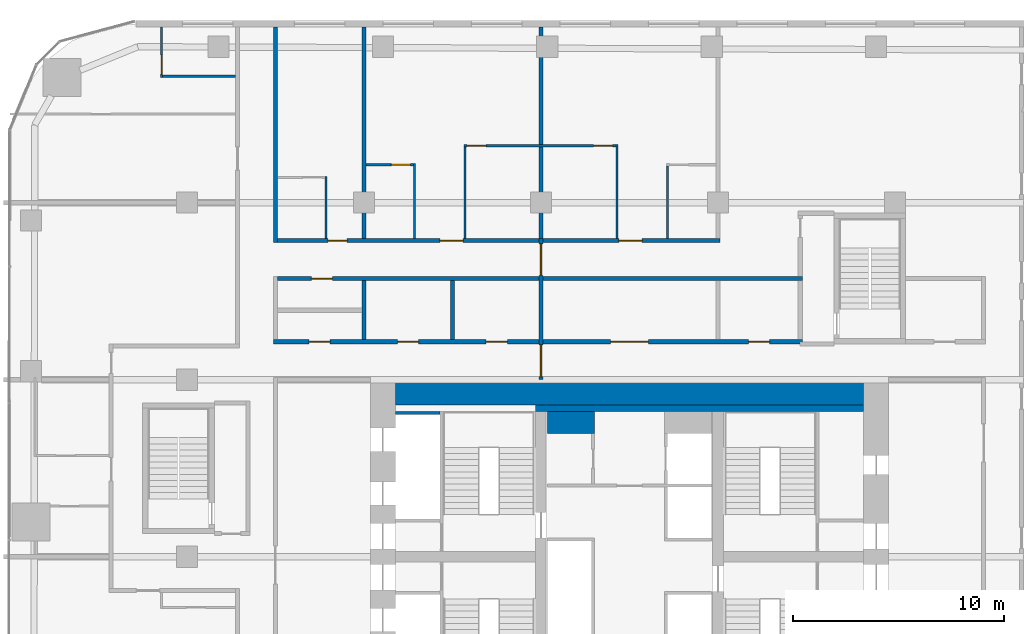
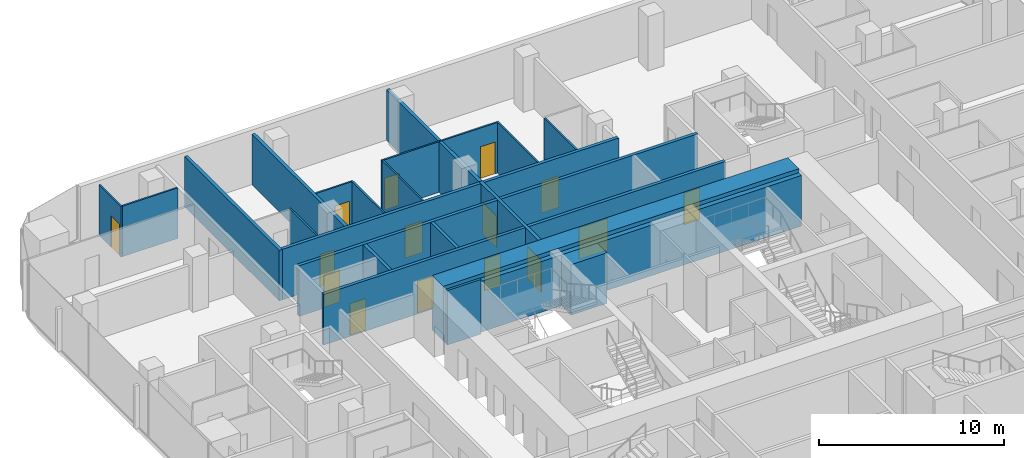
# One storey, part 21 of 25: 22 walls, 15 doors, 15 openings.
"""IFC4 building model written with IfcOpenShell, lengths in metres."""

from ifc_helpers import new_model, si_unit, direction, frame, frame_2d, origin, place, context, subcontext, project, spatial, rectangle, extrude, material, layer, layer_set, type_object, element, fill, save


model = new_model("IFC4")

# Units and contexts
model_context = context("Model", 3, precision=1e-05, world=origin(), true_north=direction((0.0, 1.0)))
body_context = subcontext(model_context, "Body", "Model", "MODEL_VIEW")
ifc_project = project(units=[si_unit("LENGTHUNIT", "METRE"), si_unit("AREAUNIT", "SQUARE_METRE"), si_unit("VOLUMEUNIT", "CUBIC_METRE"), si_unit("PLANEANGLEUNIT", "RADIAN"), si_unit("MASSUNIT", "GRAM", prefix="KILO")], contexts=[model_context])

# Site, building, storey
site_placement = place(None, origin())
site = spatial("IfcSite", under=ifc_project, at=site_placement, CompositionType="ELEMENT")
building_placement = place(site_placement, origin())
building = spatial("IfcBuilding", under=site, at=building_placement, Name="Marenta Gate Hotel Tower", CompositionType="ELEMENT")
storey_placement = place(building_placement, frame((0.0, 0.0, 50.89990234375)))
storey = spatial("IfcBuildingStorey", under=building, at=storey_placement, Name="L10", CompositionType="ELEMENT", Elevation=50.89990234375)

# Wall, openings, doors
ifc_material_1 = material(Name="Concrete blockwork", Category="masonry")
ifc_layer_1 = layer(ifc_material_1, 0.199951171875)
ifc_layer_set_1 = layer_set([ifc_layer_1], Name="Concrete blockwork")
wall_type_1 = type_object("IfcWallType", Name="Compartment wall 200 REI 180", PredefinedType="PARTITIONING", material=ifc_layer_set_1)
wall_1_placement = place(storey_placement, frame((-4.199951171875, 16.800048828125, 0.0), z_axis=(0.0, 0.0, 1.0), x_axis=(0.0, 1.0, 0.0)))
wall_1 = element("IfcWall", 1, at=wall_1_placement, inside=storey, type_object=wall_type_1, Name="L10-PTN-W069", PredefinedType="PARTITIONING", context=body_context, shape_type="SweptSolid", body=[
    extrude(rectangle(XDim=6.699951171875, YDim=0.199951171875, at=frame_2d((3.35009765625, 0.0))), origin(), (0.0, 0.0, 1.0), 3.340087890625),
])
opening_1_placement = place(wall_1_placement, frame((0.14990234375, 0.0, 0.0)))
opening_1 = element("IfcOpeningElement", 2, at=opening_1_placement, cuts=wall_1, Name="Opening G03-FD1", PredefinedType="OPENING", context=body_context, shape_type="SweptSolid", body=[
    extrude(rectangle(XDim=1.5, YDim=2.10009765625, at=frame_2d((0.75, 1.050048828125))), frame((0.0, 0.10009765625, 0.0), z_axis=(0.0, -1.0, 0.0), x_axis=(1.0, 0.0, 0.0)), (0.0, 0.0, 1.0), 0.199951171875),
])
opening_2_placement = place(wall_1_placement, frame((4.949951171875, 0.0, 0.0)))
opening_2 = element("IfcOpeningElement", 3, at=opening_2_placement, cuts=wall_1, Name="Opening G03-FD2", PredefinedType="OPENING", context=body_context, shape_type="SweptSolid", body=[
    extrude(rectangle(XDim=1.5, YDim=2.10009765625, at=frame_2d((0.75, 1.050048828125))), frame((0.0, 0.10009765625, 0.0), z_axis=(0.0, -1.0, 0.0), x_axis=(1.0, 0.0, 0.0)), (0.0, 0.0, 1.0), 0.199951171875),
])
ifc_material_2 = material(Name="Hollow steel door set", Category="steel")
door_type_1 = type_object("IfcDoorType", Name="Compartment fire door 1500x2100 EI 60", OperationType="DOUBLE_DOOR_DOUBLE_SWING", PredefinedType="DOOR", material=ifc_material_2)
door_1_placement = place(opening_1_placement, origin())
door_1 = element("IfcDoor", 4, at=door_1_placement, inside=storey, type_object=door_type_1, Name="L10-PD-FD01", OperationType="DOUBLE_DOOR_DOUBLE_SWING", OverallHeight=2.10009765625, OverallWidth=1.5, PredefinedType="DOOR", context=body_context, shape_type="SweptSolid", body=[
    extrude(rectangle(XDim=1.5, YDim=2.10009765625, at=frame_2d((0.75, 1.050048828125))), frame((0.0, 0.02490234375, 0.0), z_axis=(0.0, -1.0, 0.0), x_axis=(1.0, 0.0, 0.0)), (0.0, 0.0, 1.0), 0.050048828125),
])
fill(opening_1, door_1)
door_2_placement = place(opening_2_placement, origin())
door_2 = element("IfcDoor", 5, at=door_2_placement, inside=storey, type_object=door_type_1, Name="L10-PD-FD02", OperationType="DOUBLE_DOOR_DOUBLE_SWING", OverallHeight=2.10009765625, OverallWidth=1.5, PredefinedType="DOOR", context=body_context, shape_type="SweptSolid", body=[
    extrude(rectangle(XDim=1.5, YDim=2.10009765625, at=frame_2d((0.75, 1.050048828125))), frame((0.0, 0.02490234375, 0.0), z_axis=(0.0, -1.0, 0.0), x_axis=(1.0, 0.0, 0.0)), (0.0, 0.0, 1.0), 0.050048828125),
])
fill(opening_2, door_2)

# Walls
wall_2_placement = place(storey_placement, frame((-4.199951171875, 23.5, 0.0), z_axis=(0.0, 0.0, 1.0), x_axis=(0.0, 1.0, 0.0)))
element("IfcWall", 6, at=wall_2_placement, inside=storey, type_object=wall_type_1, Name="L10-PTN-W070", PredefinedType="PARTITIONING", context=body_context, shape_type="SweptSolid", body=[
    extrude(rectangle(XDim=10.0400390625, YDim=0.199951171875, at=frame_2d((5.02001953125, 0.0))), origin(), (0.0, 0.0, 1.0), 3.340087890625),
])
ifc_material_3 = material(Name="Concrete C40", Category="concrete")
ifc_layer_2 = layer(ifc_material_3, 0.300048828125)
ifc_layer_set_2 = layer_set([ifc_layer_2], Name="Concrete C40")
wall_type_2 = type_object("IfcWallType", Name="Core lining wall 300 REI 180", PredefinedType="PARTITIONING", material=ifc_layer_set_2)
wall_3_placement = place(storey_placement, frame((-11.10009765625, 15.449951171875, 0.0), z_axis=(0.0, 0.0, 1.0), x_axis=(1.0, 0.0, 0.0)))
element("IfcWall", 7, at=wall_3_placement, inside=storey, type_object=wall_type_2, Name="L10-CP-LN-N", PredefinedType="PARTITIONING", context=body_context, shape_type="SweptSolid", body=[
    extrude(rectangle(XDim=22.2001953125, YDim=0.300048828125, at=frame_2d((11.10009765625, 0.0))), origin(), (0.0, 0.0, 1.0), 3.340087890625),
])
ifc_material_4 = material(Name="Concrete blockwork", Category="masonry")
ifc_layer_3 = layer(ifc_material_4, 1.050048828125)
ifc_layer_set_3 = layer_set([ifc_layer_3], Name="Concrete blockwork")
wall_type_3 = type_object("IfcWallType", Name="Core room partition 1050 REI 180", PredefinedType="PARTITIONING", material=ifc_layer_set_3)
wall_4_placement = place(storey_placement, frame((-3.89990234375, 14.77490234375, 0.0), z_axis=(0.0, 0.0, 1.0), x_axis=(1.0, 0.0, 0.0)))
element("IfcWall", 8, at=wall_4_placement, inside=storey, type_object=wall_type_3, Name="L10-CP-CW-W-riser-N", PredefinedType="PARTITIONING", context=body_context, shape_type="SweptSolid", body=[
    extrude(rectangle(XDim=2.25, YDim=1.050048828125, at=frame_2d((1.125, 0.0))), origin(), (0.0, 0.0, 1.0), 3.340087890625),
])
ifc_material_5 = material(Name="Concrete C40", Category="concrete")
ifc_layer_4 = layer(ifc_material_5, 0.14990234375)
ifc_layer_set_4 = layer_set([ifc_layer_4], Name="Concrete C40")
wall_type_4 = type_object("IfcWallType", Name="Core shaft wall 150 REI 180", PredefinedType="SHEAR", material=ifc_layer_set_4)
wall_5_placement = place(storey_placement, frame((-11.10009765625, 15.22509765625, 0.0), z_axis=(0.0, 0.0, 1.0), x_axis=(1.0, 0.0, 0.0)))
element("IfcWall", 9, at=wall_5_placement, inside=storey, type_object=wall_type_4, Name="L10-SHF-SW-WN-5", PredefinedType="SHEAR", context=body_context, shape_type="SweptSolid", body=[
    extrude(rectangle(XDim=2.10009765625, YDim=0.14990234375, at=frame_2d((1.050048828125, 0.0))), origin(), (0.0, 0.0, 1.0), 3.60009765625),
])
ifc_material_6 = material(Name="Concrete C80", Category="concrete")
ifc_layer_5 = layer(ifc_material_6, 1.199951171875)
ifc_layer_set_5 = layer_set([ifc_layer_5], Name="Concrete C80")
wall_type_5 = type_object("IfcWallType", Name="Core wall 1200 C80", PredefinedType="SHEAR", material=ifc_layer_set_5)
wall_6_placement = place(storey_placement, frame((-11.10009765625, 16.199951171875, 0.0), z_axis=(0.0, 0.0, 1.0), x_axis=(1.0, 0.0, 0.0)))
element("IfcWall", 10, at=wall_6_placement, inside=storey, type_object=wall_type_5, Name="L10-CORE-N", PredefinedType="SHEAR", context=body_context, shape_type="SweptSolid", body=[
    extrude(rectangle(XDim=22.2001953125, YDim=1.199951171875, at=frame_2d((11.10009765625, 0.0))), origin(), (0.0, 0.0, 1.0), 3.60009765625),
])
ifc_material_7 = material(Name="Gypsum board on steel stud", Category="steel")
ifc_layer_6 = layer(ifc_material_7, 0.199951171875)
ifc_layer_set_6 = layer_set([ifc_layer_6], Name="Gypsum board on steel stud")
wall_type_6 = type_object("IfcWallType", Name="Room corridor wall 200 EI 60", PredefinedType="PARTITIONING", material=ifc_layer_set_6)
wall_7_placement = place(storey_placement, frame((-16.800048828125, 23.300048828125, 0.0), z_axis=(0.0, 0.0, 1.0), x_axis=(0.0, 1.0, 0.0)))
element("IfcWall", 11, at=wall_7_placement, inside=storey, type_object=wall_type_6, Name="L10-PTN-W102", PredefinedType="PARTITIONING", context=body_context, shape_type="SweptSolid", body=[
    extrude(rectangle(XDim=10.239990234375, YDim=0.199951171875, at=frame_2d((5.1201171875, 0.0))), origin(), (0.0, 0.0, 1.0), 3.340087890625),
])

# Wall, openings, doors
wall_8_placement = place(storey_placement, frame((-16.89990234375, 18.60009765625, 0.0), z_axis=(0.0, 0.0, 1.0), x_axis=(1.0, 0.0, 0.0)))
wall_8 = element("IfcWall", 12, at=wall_8_placement, inside=storey, type_object=wall_type_6, Name="L10-PTN-W110", PredefinedType="PARTITIONING", context=body_context, shape_type="SweptSolid", body=[
    extrude(rectangle(XDim=25.099853515625, YDim=0.199951171875, at=frame_2d((12.5498046875, 0.0))), origin(), (0.0, 0.0, 1.0), 3.340087890625),
])
opening_3_placement = place(wall_8_placement, frame((16.0, 0.0, 0.0)))
opening_3 = element("IfcOpeningElement", 13, at=opening_3_placement, cuts=wall_8, Name="Opening G03-01", PredefinedType="OPENING", context=body_context, shape_type="SweptSolid", body=[
    extrude(rectangle(XDim=1.800048828125, YDim=2.10009765625, at=frame_2d((0.89990234375, 1.050048828125))), frame((0.0, 0.10009765625, 0.0), z_axis=(0.0, -1.0, 0.0), x_axis=(1.0, 0.0, 0.0)), (0.0, 0.0, 1.0), 0.199951171875),
])
opening_4_placement = place(wall_8_placement, frame((22.550048828125, 0.0, 0.0)))
opening_4 = element("IfcOpeningElement", 14, at=opening_4_placement, cuts=wall_8, Name="Opening G03-02", PredefinedType="OPENING", context=body_context, shape_type="SweptSolid", body=[
    extrude(rectangle(XDim=1.0, YDim=2.10009765625, at=frame_2d((0.5, 1.050048828125))), frame((0.0, 0.10009765625, 0.0), z_axis=(0.0, -1.0, 0.0), x_axis=(1.0, 0.0, 0.0)), (0.0, 0.0, 1.0), 0.199951171875),
])
opening_5_placement = place(wall_8_placement, frame((5.89990234375, 0.0, 0.0)))
opening_5 = element("IfcOpeningElement", 15, at=opening_5_placement, cuts=wall_8, Name="Opening G03-64", PredefinedType="OPENING", context=body_context, shape_type="SweptSolid", body=[
    extrude(rectangle(XDim=1.0, YDim=2.10009765625, at=frame_2d((0.5, 1.050048828125))), frame((0.0, 0.10009765625, 0.0), z_axis=(0.0, -1.0, 0.0), x_axis=(1.0, 0.0, 0.0)), (0.0, 0.0, 1.0), 0.199951171875),
])
opening_6_placement = place(wall_8_placement, frame((10.10009765625, 0.0, 0.0)))
opening_6 = element("IfcOpeningElement", 16, at=opening_6_placement, cuts=wall_8, Name="Opening G03-65", PredefinedType="OPENING", context=body_context, shape_type="SweptSolid", body=[
    extrude(rectangle(XDim=1.0, YDim=2.10009765625, at=frame_2d((0.5, 1.050048828125))), frame((0.0, 0.10009765625, 0.0), z_axis=(0.0, -1.0, 0.0), x_axis=(1.0, 0.0, 0.0)), (0.0, 0.0, 1.0), 0.199951171875),
])
opening_7_placement = place(wall_8_placement, frame((1.699951171875, 0.0, 0.0)))
opening_7 = element("IfcOpeningElement", 17, at=opening_7_placement, cuts=wall_8, Name="Opening G03-68", PredefinedType="OPENING", context=body_context, shape_type="SweptSolid", body=[
    extrude(rectangle(XDim=1.0, YDim=2.10009765625, at=frame_2d((0.5, 1.050048828125))), frame((0.0, 0.10009765625, 0.0), z_axis=(0.0, -1.0, 0.0), x_axis=(1.0, 0.0, 0.0)), (0.0, 0.0, 1.0), 0.199951171875),
])
ifc_material_8 = material(Name="Timber door leaf", Category="wood")
door_type_2 = type_object("IfcDoorType", Name="Room amenity door 1000x2100 EI 30", OperationType="NOTDEFINED", PredefinedType="DOOR", material=ifc_material_8)
door_3_placement = place(opening_4_placement, origin())
door_3 = element("IfcDoor", 18, at=door_3_placement, inside=storey, type_object=door_type_2, Name="L10-PD-D002", OperationType="SINGLE_SWING_RIGHT", OverallHeight=2.10009765625, OverallWidth=1.0, PredefinedType="DOOR", context=body_context, shape_type="SweptSolid", body=[
    extrude(rectangle(XDim=1.0, YDim=2.10009765625, at=frame_2d((0.5, 1.050048828125))), frame((0.0, 0.02490234375, 0.0), z_axis=(0.0, -1.0, 0.0), x_axis=(1.0, 0.0, 0.0)), (0.0, 0.0, 1.0), 0.050048828125),
])
fill(opening_4, door_3)
door_4_placement = place(opening_5_placement, origin())
door_4 = element("IfcDoor", 19, at=door_4_placement, inside=storey, type_object=door_type_2, Name="L10-PD-D064", OperationType="SINGLE_SWING_RIGHT", OverallHeight=2.10009765625, OverallWidth=1.0, PredefinedType="DOOR", context=body_context, shape_type="SweptSolid", body=[
    extrude(rectangle(XDim=1.0, YDim=2.10009765625, at=frame_2d((0.5, 1.050048828125))), frame((0.0, 0.02490234375, 0.0), z_axis=(0.0, -1.0, 0.0), x_axis=(1.0, 0.0, 0.0)), (0.0, 0.0, 1.0), 0.050048828125),
])
fill(opening_5, door_4)
door_5_placement = place(opening_6_placement, origin())
door_5 = element("IfcDoor", 20, at=door_5_placement, inside=storey, type_object=door_type_2, Name="L10-PD-D065", OperationType="SINGLE_SWING_LEFT", OverallHeight=2.10009765625, OverallWidth=1.0, PredefinedType="DOOR", context=body_context, shape_type="SweptSolid", body=[
    extrude(rectangle(XDim=1.0, YDim=2.10009765625, at=frame_2d((0.5, 1.050048828125))), frame((0.0, 0.02490234375, 0.0), z_axis=(0.0, -1.0, 0.0), x_axis=(1.0, 0.0, 0.0)), (0.0, 0.0, 1.0), 0.050048828125),
])
fill(opening_6, door_5)
door_6_placement = place(opening_7_placement, origin())
door_6 = element("IfcDoor", 21, at=door_6_placement, inside=storey, type_object=door_type_2, Name="L10-PD-D068", OperationType="SINGLE_SWING_RIGHT", OverallHeight=2.10009765625, OverallWidth=1.0, PredefinedType="DOOR", context=body_context, shape_type="SweptSolid", body=[
    extrude(rectangle(XDim=1.0, YDim=2.10009765625, at=frame_2d((0.5, 1.050048828125))), frame((0.0, 0.02490234375, 0.0), z_axis=(0.0, -1.0, 0.0), x_axis=(1.0, 0.0, 0.0)), (0.0, 0.0, 1.0), 0.050048828125),
])
fill(opening_7, door_6)
ifc_material_9 = material(Name="Timber door leaf", Category="wood")
door_type_3 = type_object("IfcDoorType", Name="Room amenity door 1800x2100 EI 30", OperationType="DOUBLE_DOOR_SINGLE_SWING", PredefinedType="DOOR", material=ifc_material_9)
door_7_placement = place(opening_3_placement, origin())
door_7 = element("IfcDoor", 22, at=door_7_placement, inside=storey, type_object=door_type_3, Name="L10-PD-D001", OperationType="DOUBLE_DOOR_SINGLE_SWING", OverallHeight=2.10009765625, OverallWidth=1.800048828125, PredefinedType="DOOR", context=body_context, shape_type="SweptSolid", body=[
    extrude(rectangle(XDim=1.800048828125, YDim=2.10009765625, at=frame_2d((0.89990234375, 1.050048828125))), frame((0.0, 0.02490234375, 0.0), z_axis=(0.0, -1.0, 0.0), x_axis=(1.0, 0.0, 0.0)), (0.0, 0.0, 1.0), 0.050048828125),
])
fill(opening_3, door_7)

# Wall, opening, door
wall_9_placement = place(storey_placement, frame((-16.699951171875, 21.60009765625, 0.0), z_axis=(0.0, 0.0, 1.0), x_axis=(1.0, 0.0, 0.0)))
wall_9 = element("IfcWall", 23, at=wall_9_placement, inside=storey, type_object=wall_type_6, Name="L10-PTN-W115", PredefinedType="PARTITIONING", context=body_context, shape_type="SweptSolid", body=[
    extrude(rectangle(XDim=24.89990234375, YDim=0.199951171875, at=frame_2d((12.449951171875, 0.0))), origin(), (0.0, 0.0, 1.0), 3.340087890625),
])
opening_8_placement = place(wall_9_placement, frame((1.60009765625, 0.0, 0.0)))
opening_8 = element("IfcOpeningElement", 24, at=opening_8_placement, cuts=wall_9, Name="Opening G03-69", PredefinedType="OPENING", context=body_context, shape_type="SweptSolid", body=[
    extrude(rectangle(XDim=1.0, YDim=2.10009765625, at=frame_2d((0.5, 1.050048828125))), frame((0.0, 0.10009765625, 0.0), z_axis=(0.0, -1.0, 0.0), x_axis=(1.0, 0.0, 0.0)), (0.0, 0.0, 1.0), 0.199951171875),
])
door_8_placement = place(opening_8_placement, origin())
door_8 = element("IfcDoor", 25, at=door_8_placement, inside=storey, type_object=door_type_2, Name="L10-PD-D069", OperationType="SINGLE_SWING_RIGHT", OverallHeight=2.10009765625, OverallWidth=1.0, PredefinedType="DOOR", context=body_context, shape_type="SweptSolid", body=[
    extrude(rectangle(XDim=1.0, YDim=2.10009765625, at=frame_2d((0.5, 1.050048828125))), frame((0.0, 0.02490234375, 0.0), z_axis=(0.0, -1.0, 0.0), x_axis=(1.0, 0.0, 0.0)), (0.0, 0.0, 1.0), 0.050048828125),
])
fill(opening_8, door_8)

# Wall, openings, doors
wall_10_placement = place(storey_placement, frame((-16.699951171875, 23.39990234375, 0.0), z_axis=(0.0, 0.0, 1.0), x_axis=(1.0, 0.0, 0.0)))
wall_10 = element("IfcWall", 26, at=wall_10_placement, inside=storey, type_object=wall_type_6, Name="L10-PTN-W122", PredefinedType="PARTITIONING", context=body_context, shape_type="SweptSolid", body=[
    extrude(rectangle(XDim=21.0, YDim=0.199951171875, at=frame_2d((10.5, 0.0))), origin(), (0.0, 0.0, 1.0), 3.340087890625),
])
opening_9_placement = place(wall_10_placement, frame((2.39990234375, 0.0, 0.0)))
opening_9 = element("IfcOpeningElement", 27, at=opening_9_placement, cuts=wall_10, Name="Opening G03-28", PredefinedType="OPENING", context=body_context, shape_type="SweptSolid", body=[
    extrude(rectangle(XDim=0.89990234375, YDim=2.10009765625, at=frame_2d((0.449951171875, 1.050048828125))), frame((0.0, 0.10009765625, 0.0), z_axis=(0.0, -1.0, 0.0), x_axis=(1.0, 0.0, 0.0)), (0.0, 0.0, 1.0), 0.199951171875),
])
opening_10_placement = place(wall_10_placement, frame((7.699951171875, 0.0, 0.0)))
opening_10 = element("IfcOpeningElement", 28, at=opening_10_placement, cuts=wall_10, Name="Opening G03-30", PredefinedType="OPENING", context=body_context, shape_type="SweptSolid", body=[
    extrude(rectangle(XDim=1.10009765625, YDim=2.10009765625, at=frame_2d((0.550048828125, 1.050048828125))), frame((0.0, 0.10009765625, 0.0), z_axis=(0.0, -1.0, 0.0), x_axis=(1.0, 0.0, 0.0)), (0.0, 0.0, 1.0), 0.199951171875),
])
opening_11_placement = place(wall_10_placement, frame((16.199951171875, 0.0, 0.0)))
opening_11 = element("IfcOpeningElement", 29, at=opening_11_placement, cuts=wall_10, Name="Opening G03-33", PredefinedType="OPENING", context=body_context, shape_type="SweptSolid", body=[
    extrude(rectangle(XDim=1.10009765625, YDim=2.10009765625, at=frame_2d((0.550048828125, 1.050048828125))), frame((0.0, 0.10009765625, 0.0), z_axis=(0.0, -1.0, 0.0), x_axis=(1.0, 0.0, 0.0)), (0.0, 0.0, 1.0), 0.199951171875),
])
ifc_material_10 = material(Name="Timber door leaf", Category="wood")
door_type_4 = type_object("IfcDoorType", Name="Guest room door 1100x2100 EI 30", OperationType="NOTDEFINED", PredefinedType="DOOR", material=ifc_material_10)
door_9_placement = place(opening_10_placement, origin())
door_9 = element("IfcDoor", 30, at=door_9_placement, inside=storey, type_object=door_type_4, Name="L10-PD-D030", OperationType="SINGLE_SWING_RIGHT", OverallHeight=2.10009765625, OverallWidth=1.10009765625, PredefinedType="DOOR", context=body_context, shape_type="SweptSolid", body=[
    extrude(rectangle(XDim=1.10009765625, YDim=2.10009765625, at=frame_2d((0.550048828125, 1.050048828125))), frame((0.0, 0.02490234375, 0.0), z_axis=(0.0, -1.0, 0.0), x_axis=(1.0, 0.0, 0.0)), (0.0, 0.0, 1.0), 0.050048828125),
])
fill(opening_10, door_9)
door_10_placement = place(opening_11_placement, origin())
door_10 = element("IfcDoor", 31, at=door_10_placement, inside=storey, type_object=door_type_4, Name="L10-PD-D033", OperationType="SINGLE_SWING_LEFT", OverallHeight=2.10009765625, OverallWidth=1.10009765625, PredefinedType="DOOR", context=body_context, shape_type="SweptSolid", body=[
    extrude(rectangle(XDim=1.10009765625, YDim=2.10009765625, at=frame_2d((0.550048828125, 1.050048828125))), frame((0.0, 0.02490234375, 0.0), z_axis=(0.0, -1.0, 0.0), x_axis=(1.0, 0.0, 0.0)), (0.0, 0.0, 1.0), 0.050048828125),
])
fill(opening_11, door_10)
ifc_material_11 = material(Name="Timber door leaf", Category="wood")
door_type_5 = type_object("IfcDoorType", Name="Guest room door 900x2100 EI 30", OperationType="NOTDEFINED", PredefinedType="DOOR", material=ifc_material_11)
door_11_placement = place(opening_9_placement, origin())
door_11 = element("IfcDoor", 32, at=door_11_placement, inside=storey, type_object=door_type_5, Name="L10-PD-D028", OperationType="SINGLE_SWING_LEFT", OverallHeight=2.10009765625, OverallWidth=0.89990234375, PredefinedType="DOOR", context=body_context, shape_type="SweptSolid", body=[
    extrude(rectangle(XDim=0.89990234375, YDim=2.10009765625, at=frame_2d((0.449951171875, 1.050048828125))), frame((0.0, 0.02490234375, 0.0), z_axis=(0.0, -1.0, 0.0), x_axis=(1.0, 0.0, 0.0)), (0.0, 0.0, 1.0), 0.050048828125),
])
fill(opening_9, door_11)

# Walls
ifc_material_12 = material(Name="Gypsum board on steel stud", Category="steel")
ifc_layer_7 = layer(ifc_material_12, 0.10009765625)
ifc_layer_set_7 = layer_set([ifc_layer_7], Name="Gypsum board on steel stud")
wall_type_7 = type_object("IfcWallType", Name="Room partition 100", PredefinedType="PARTITIONING", material=ifc_layer_set_7)
wall_11_placement = place(storey_placement, frame((1.800048828125, 23.5, 0.0), z_axis=(0.0, 0.0, 1.0), x_axis=(0.0, 1.0, 0.0)))
element("IfcWall", 33, at=wall_11_placement, inside=storey, type_object=wall_type_7, Name="L10-PTN-W056", PredefinedType="PARTITIONING", context=body_context, shape_type="SweptSolid", body=[
    extrude(rectangle(XDim=3.449951171875, YDim=0.10009765625, at=frame_2d((1.72509765625, 0.0))), origin(), (0.0, 0.0, 1.0), 3.340087890625),
])
wall_12_placement = place(storey_placement, frame((-0.60009765625, 23.5, 0.0), z_axis=(0.0, 0.0, 1.0), x_axis=(0.0, 1.0, 0.0)))
element("IfcWall", 34, at=wall_12_placement, inside=storey, type_object=wall_type_7, Name="L10-PTN-W063", PredefinedType="PARTITIONING", context=body_context, shape_type="SweptSolid", body=[
    extrude(rectangle(XDim=4.449951171875, YDim=0.10009765625, at=frame_2d((2.22509765625, 0.0))), origin(), (0.0, 0.0, 1.0), 3.340087890625),
])
wall_13_placement = place(storey_placement, frame((-7.800048828125, 23.5, 0.0), z_axis=(0.0, 0.0, 1.0), x_axis=(0.0, 1.0, 0.0)))
element("IfcWall", 35, at=wall_13_placement, inside=storey, type_object=wall_type_7, Name="L10-PTN-W077", PredefinedType="PARTITIONING", context=body_context, shape_type="SweptSolid", body=[
    extrude(rectangle(XDim=4.35009765625, YDim=0.10009765625, at=frame_2d((2.175048828125, 0.0))), origin(), (0.0, 0.0, 1.0), 3.340087890625),
])
wall_14_placement = place(storey_placement, frame((-10.199951171875, 23.5, 0.0), z_axis=(0.0, 0.0, 1.0), x_axis=(0.0, 1.0, 0.0)))
element("IfcWall", 36, at=wall_14_placement, inside=storey, type_object=wall_type_7, Name="L10-PTN-W083", PredefinedType="PARTITIONING", context=body_context, shape_type="SweptSolid", body=[
    extrude(rectangle(XDim=3.550048828125, YDim=0.10009765625, at=frame_2d((1.77490234375, 0.0))), origin(), (0.0, 0.0, 1.0), 3.340087890625),
])
wall_15_placement = place(storey_placement, frame((-14.39990234375, 23.5, 0.0), z_axis=(0.0, 0.0, 1.0), x_axis=(0.0, 1.0, 0.0)))
element("IfcWall", 37, at=wall_15_placement, inside=storey, type_object=wall_type_7, Name="L10-PTN-W094", PredefinedType="PARTITIONING", context=body_context, shape_type="SweptSolid", body=[
    extrude(rectangle(XDim=2.949951171875, YDim=0.10009765625, at=frame_2d((1.47509765625, 0.0))), origin(), (0.0, 0.0, 1.0), 3.340087890625),
])

# Wall, opening, door
wall_16_placement = place(storey_placement, frame((-22.199951171875, 31.14990234375, 0.0), z_axis=(0.0, 0.0, 1.0), x_axis=(0.0, 1.0, 0.0)))
wall_16 = element("IfcWall", 38, at=wall_16_placement, inside=storey, type_object=wall_type_7, Name="L10-PTN-W119", PredefinedType="PARTITIONING", context=body_context, shape_type="SweptSolid", body=[
    extrude(rectangle(XDim=2.39013671875, YDim=0.10009765625, at=frame_2d((1.195068359375, 0.0))), origin(), (0.0, 0.0, 1.0), 3.340087890625),
])
opening_12_placement = place(wall_16_placement, frame((0.14990234375, 0.0, 0.0)))
opening_12 = element("IfcOpeningElement", 39, at=opening_12_placement, cuts=wall_16, Name="Opening G03-57", PredefinedType="OPENING", context=body_context, shape_type="SweptSolid", body=[
    extrude(rectangle(XDim=0.89990234375, YDim=2.10009765625, at=frame_2d((0.449951171875, 1.050048828125))), frame((0.0, 0.050048828125, 0.0), z_axis=(0.0, -1.0, 0.0), x_axis=(1.0, 0.0, 0.0)), (0.0, 0.0, 1.0), 0.10009765625),
])
ifc_material_13 = material(Name="Timber door leaf", Category="wood")
door_type_6 = type_object("IfcDoorType", Name="Guest bathroom door 900x2100", OperationType="NOTDEFINED", PredefinedType="DOOR", material=ifc_material_13)
door_12_placement = place(opening_12_placement, origin())
door_12 = element("IfcDoor", 40, at=door_12_placement, inside=storey, type_object=door_type_6, Name="L10-PD-D057", OperationType="SINGLE_SWING_RIGHT", OverallHeight=2.10009765625, OverallWidth=0.89990234375, PredefinedType="DOOR", context=body_context, shape_type="SweptSolid", body=[
    extrude(rectangle(XDim=0.89990234375, YDim=2.10009765625, at=frame_2d((0.449951171875, 1.050048828125))), frame((0.0, 0.02490234375, 0.0), z_axis=(0.0, -1.0, 0.0), x_axis=(1.0, 0.0, 0.0)), (0.0, 0.0, 1.0), 0.050048828125),
])
fill(opening_12, door_12)

wall_17_placement = place(storey_placement, frame((-12.5, 27.0, 0.0), z_axis=(0.0, 0.0, 1.0), x_axis=(1.0, 0.0, 0.0)))
wall_17 = element("IfcWall", 41, at=wall_17_placement, inside=storey, type_object=wall_type_7, Name="L10-PTN-W128", PredefinedType="PARTITIONING", context=body_context, shape_type="SweptSolid", body=[
    extrude(rectangle(XDim=2.25, YDim=0.10009765625, at=frame_2d((1.125, 0.0))), origin(), (0.0, 0.0, 1.0), 3.340087890625),
])
opening_13_placement = place(wall_17_placement, frame((1.199951171875, 0.0, 0.0)))
opening_13 = element("IfcOpeningElement", 42, at=opening_13_placement, cuts=wall_17, Name="Opening G03-32", PredefinedType="OPENING", context=body_context, shape_type="SweptSolid", body=[
    extrude(rectangle(XDim=0.89990234375, YDim=2.10009765625, at=frame_2d((0.449951171875, 1.050048828125))), frame((0.0, 0.050048828125, 0.0), z_axis=(0.0, -1.0, 0.0), x_axis=(1.0, 0.0, 0.0)), (0.0, 0.0, 1.0), 0.10009765625),
])
ifc_material_14 = material(Name="Timber door leaf", Category="wood")
door_type_7 = type_object("IfcDoorType", Name="Room inner door 900x2100", OperationType="NOTDEFINED", PredefinedType="DOOR", material=ifc_material_14)
door_13_placement = place(opening_13_placement, origin())
door_13 = element("IfcDoor", 43, at=door_13_placement, inside=storey, type_object=door_type_7, Name="L10-PD-D032", OperationType="SINGLE_SWING_LEFT", OverallHeight=2.10009765625, OverallWidth=0.89990234375, PredefinedType="DOOR", context=body_context, shape_type="SweptSolid", body=[
    extrude(rectangle(XDim=0.89990234375, YDim=2.10009765625, at=frame_2d((0.449951171875, 1.050048828125))), frame((0.0, 0.02490234375, 0.0), z_axis=(0.0, -1.0, 0.0), x_axis=(1.0, 0.0, 0.0)), (0.0, 0.0, 1.0), 0.050048828125),
])
fill(opening_13, door_13)

# Wall, openings, doors
wall_18_placement = place(storey_placement, frame((-7.85009765625, 27.89990234375, 0.0), z_axis=(0.0, 0.0, 1.0), x_axis=(1.0, 0.0, 0.0)))
wall_18 = element("IfcWall", 44, at=wall_18_placement, inside=storey, type_object=wall_type_7, Name="L10-PTN-W131", PredefinedType="PARTITIONING", context=body_context, shape_type="SweptSolid", body=[
    extrude(rectangle(XDim=7.2001953125, YDim=0.10009765625, at=frame_2d((3.60009765625, 0.0))), origin(), (0.0, 0.0, 1.0), 3.340087890625),
])
opening_14_placement = place(wall_18_placement, frame((0.14990234375, 0.0, 0.0)))
opening_14 = element("IfcOpeningElement", 45, at=opening_14_placement, cuts=wall_18, Name="Opening G03-31", PredefinedType="OPENING", context=body_context, shape_type="SweptSolid", body=[
    extrude(rectangle(XDim=0.89990234375, YDim=2.10009765625, at=frame_2d((0.449951171875, 1.050048828125))), frame((0.0, 0.050048828125, 0.0), z_axis=(0.0, -1.0, 0.0), x_axis=(1.0, 0.0, 0.0)), (0.0, 0.0, 1.0), 0.10009765625),
])
opening_15_placement = place(wall_18_placement, frame((6.14990234375, 0.0, 0.0)))
opening_15 = element("IfcOpeningElement", 46, at=opening_15_placement, cuts=wall_18, Name="Opening G03-34", PredefinedType="OPENING", context=body_context, shape_type="SweptSolid", body=[
    extrude(rectangle(XDim=0.89990234375, YDim=2.10009765625, at=frame_2d((0.449951171875, 1.050048828125))), frame((0.0, 0.050048828125, 0.0), z_axis=(0.0, -1.0, 0.0), x_axis=(1.0, 0.0, 0.0)), (0.0, 0.0, 1.0), 0.10009765625),
])
door_14_placement = place(opening_14_placement, origin())
door_14 = element("IfcDoor", 47, at=door_14_placement, inside=storey, type_object=door_type_6, Name="L10-PD-D031", OperationType="SINGLE_SWING_RIGHT", OverallHeight=2.10009765625, OverallWidth=0.89990234375, PredefinedType="DOOR", context=body_context, shape_type="SweptSolid", body=[
    extrude(rectangle(XDim=0.89990234375, YDim=2.10009765625, at=frame_2d((0.449951171875, 1.050048828125))), frame((0.0, 0.02490234375, 0.0), z_axis=(0.0, -1.0, 0.0), x_axis=(1.0, 0.0, 0.0)), (0.0, 0.0, 1.0), 0.050048828125),
])
fill(opening_14, door_14)
door_15_placement = place(opening_15_placement, origin())
door_15 = element("IfcDoor", 48, at=door_15_placement, inside=storey, type_object=door_type_6, Name="L10-PD-D034", OperationType="SINGLE_SWING_LEFT", OverallHeight=2.10009765625, OverallWidth=0.89990234375, PredefinedType="DOOR", context=body_context, shape_type="SweptSolid", body=[
    extrude(rectangle(XDim=0.89990234375, YDim=2.10009765625, at=frame_2d((0.449951171875, 1.050048828125))), frame((0.0, 0.02490234375, 0.0), z_axis=(0.0, -1.0, 0.0), x_axis=(1.0, 0.0, 0.0)), (0.0, 0.0, 1.0), 0.050048828125),
])
fill(opening_15, door_15)

# Walls
wall_19_placement = place(storey_placement, frame((-22.14990234375, 31.199951171875, 0.0), z_axis=(0.0, 0.0, 1.0), x_axis=(1.0, 0.0, 0.0)))
element("IfcWall", 49, at=wall_19_placement, inside=storey, type_object=wall_type_7, Name="L10-PTN-W136", PredefinedType="PARTITIONING", context=body_context, shape_type="SweptSolid", body=[
    extrude(rectangle(XDim=3.449951171875, YDim=0.10009765625, at=frame_2d((1.72509765625, 0.0))), origin(), (0.0, 0.0, 1.0), 3.340087890625),
])
ifc_material_15 = material(Name="Gypsum board on steel stud", Category="steel")
ifc_layer_8 = layer(ifc_material_15, 0.199951171875)
ifc_layer_set_8 = layer_set([ifc_layer_8], Name="Gypsum board on steel stud")
wall_type_8 = type_object("IfcWallType", Name="Room party wall 200 EI 60", PredefinedType="PARTITIONING", material=ifc_layer_set_8)
for number, where, z_axis, x_axis, name in (
    (50, (-8.39990234375, 18.699951171875, 0.0), (0.0, 0.0, 1.0), (0.0, 1.0, 0.0), "L10-PTN-W078"),
    (51, (-12.60009765625, 18.699951171875, 0.0), (0.0, 0.0, 1.0), (0.0, 1.0, 0.0), "L10-PTN-W088"),
):
    element("IfcWall", number, at=place(storey_placement, frame(where, z_axis=z_axis, x_axis=x_axis)), inside=storey, type_object=wall_type_8, Name=name, PredefinedType="PARTITIONING", context=body_context, shape_type="SweptSolid", body=[
        extrude(rectangle(XDim=2.800048828125, YDim=0.199951171875, at=frame_2d((1.39990234375, 0.0))), origin(), (0.0, 0.0, 1.0), 3.340087890625),
    ])
wall_20_placement = place(storey_placement, frame((-12.60009765625, 23.5, 0.0), z_axis=(0.0, 0.0, 1.0), x_axis=(0.0, 1.0, 0.0)))
element("IfcWall", 52, at=wall_20_placement, inside=storey, type_object=wall_type_8, Name="L10-PTN-W089", PredefinedType="PARTITIONING", context=body_context, shape_type="SweptSolid", body=[
    extrude(rectangle(XDim=10.0400390625, YDim=0.199951171875, at=frame_2d((5.02001953125, 0.0))), origin(), (0.0, 0.0, 1.0), 3.340087890625),
])

save(model, "model.ifc")
